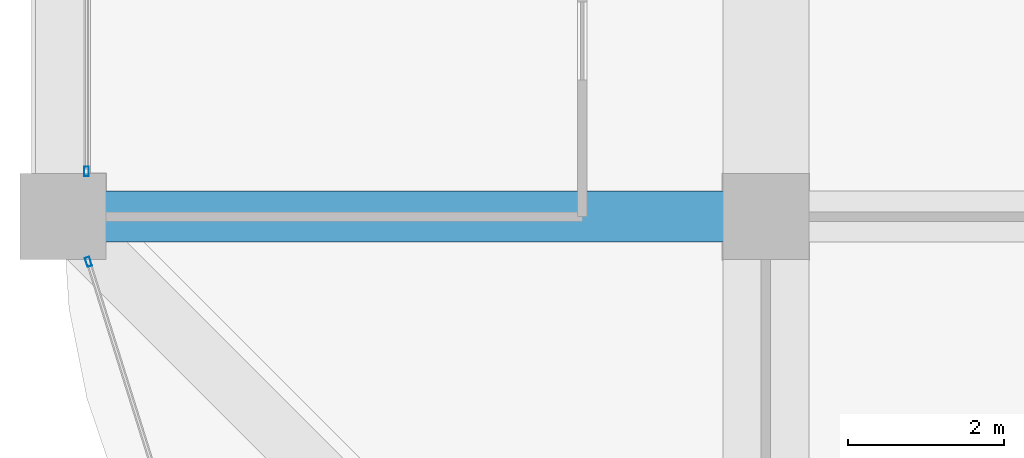
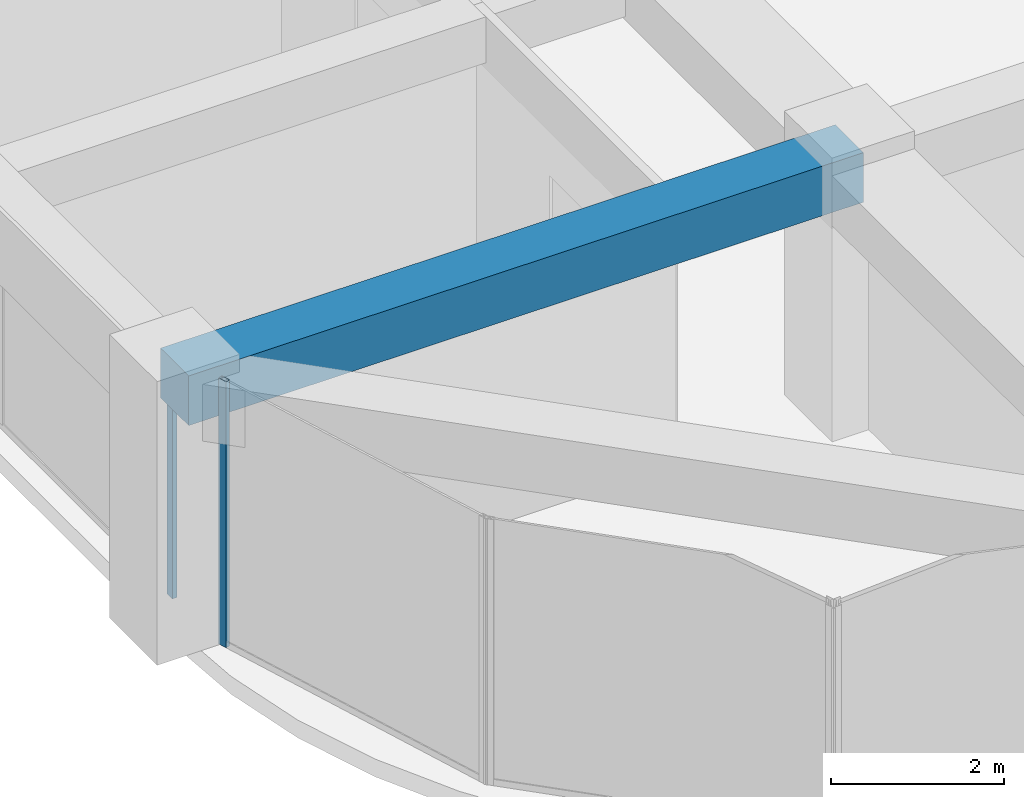
# One storey, part 6 of 45: 2 members, 1 beam, 2 elements without a shape of their own.
"""IFC4 building model written with IfcOpenShell, lengths in metres."""

import ifcopenshell
import ifcopenshell.guid

model = None  # the IFC model being written
_history = None  # IfcOwnerHistory: only IFC2X3 demands one
_inside = {}  # id of a spatial element -> (the spatial element, [elements in it])
_under = {}  # id of a project, library or spatial element -> (it, [spatial elements below it])
_declared = {}  # id of a project -> (the project, [libraries it declares])
_typed = {}  # id of a type object -> (the type object, [elements of that type])
_made_of = {}  # id of a material, layer set ... -> (it, [elements and type objects made of it])


def new_model(schema):
    """Start an empty IFC model of exactly this schema.

    Asked for "IFC4X3", IfcOpenShell would pick the latest addendum, in which some entities
    have other attributes; the version numbers below select the first issue.
    IFC2X3 requires an IfcOwnerHistory on every rooted entity: one is made here for all.
    """
    global model, _history
    if schema == "IFC4X3":
        model = ifcopenshell.file(schema_version=(4, 3, 0, 0))
    else:
        model = ifcopenshell.file(schema=schema)
    _inside.clear()
    _under.clear()
    _declared.clear()
    _typed.clear()
    _made_of.clear()
    _history = None
    if model.schema == "IFC2X3":
        org = make("IfcOrganization", Name="unknown")
        user = make(
            "IfcPersonAndOrganization",
            ThePerson=make("IfcPerson", FamilyName="unknown"),
            TheOrganization=org,
        )
        app = make(
            "IfcApplication",
            ApplicationDeveloper=org,
            Version="unknown",
            ApplicationFullName="unknown",
            ApplicationIdentifier="unknown",
        )
        _history = make(
            "IfcOwnerHistory",
            OwningUser=user,
            OwningApplication=app,
            ChangeAction="ADDED",
            CreationDate=0,
        )
    return model


def make(cls, **values):
    """One entity of the class cls with the attributes given. An attribute that is None is left unset."""
    return model.create_entity(
        cls, **{name: value for name, value in values.items() if value is not None}
    )


def rooted(cls, **values):
    """An entity with a GlobalId (a new one), such as an element, a storey or a relation."""
    return make(cls, GlobalId=ifcopenshell.guid.new(), OwnerHistory=_history, **values)


def si_unit(unit_type, name, prefix=None):
    """IfcSIUnit, for example si_unit("LENGTHUNIT", "METRE", prefix="MILLI")."""
    return make("IfcSIUnit", UnitType=unit_type, Prefix=prefix, Name=name)


def assignment(units):
    """IfcUnitAssignment: the units of a project."""
    return None if units is None else make("IfcUnitAssignment", Units=units)


def point(xyz):
    """IfcCartesianPoint."""
    return None if xyz is None else make("IfcCartesianPoint", Coordinates=xyz)


def direction(xyz):
    """IfcDirection."""
    return None if xyz is None else make("IfcDirection", DirectionRatios=xyz)


def frame(location, z_axis=None, x_axis=None):
    """IfcAxis2Placement3D, a coordinate frame: its origin and axes. An axis left out is left unset."""
    return make(
        "IfcAxis2Placement3D",
        Location=point(location),
        Axis=direction(z_axis),
        RefDirection=direction(x_axis),
    )


def frame_2d(location, x_axis=None):
    """IfcAxis2Placement2D, a coordinate frame in the plane: its origin and x axis."""
    return make(
        "IfcAxis2Placement2D", Location=point(location), RefDirection=direction(x_axis)
    )


def origin():
    """The frame at (0, 0, 0) with its axes left unset."""
    return frame((0.0, 0.0, 0.0))


def origin_2d():
    """The frame at (0, 0) in the plane with its x axis left unset."""
    return frame_2d((0.0, 0.0))


def place(relative_to, where):
    """IfcLocalPlacement: puts the frame where relative to a parent placement (None: the world)."""
    return make(
        "IfcLocalPlacement", PlacementRelTo=relative_to, RelativePlacement=where
    )


def context(
    kind, dimensions, precision=None, world=None, true_north=None, identifier=None
):
    """IfcGeometricRepresentationContext, for example the 3D "Model" context."""
    return make(
        "IfcGeometricRepresentationContext",
        ContextIdentifier=identifier,
        ContextType=kind,
        CoordinateSpaceDimension=dimensions,
        Precision=precision,
        WorldCoordinateSystem=world,
        TrueNorth=true_north,
    )


def subcontext(parent, identifier, kind, view, scale=None):
    """IfcGeometricRepresentationSubContext, for example "Body" below "Model"."""
    return make(
        "IfcGeometricRepresentationSubContext",
        ContextIdentifier=identifier,
        ContextType=kind,
        ParentContext=parent,
        TargetScale=scale,
        TargetView=view,
    )


def project(units=None, contexts=None):
    """IfcProject with its units and contexts."""
    return rooted(
        "IfcProject",
        Name="project",
        RepresentationContexts=contexts,
        UnitsInContext=assignment(units),
    )


def spatial(cls, under=None, at=None, **own):
    """A site, building, storey or space (cls), placed at a placement, below another one or the project."""
    s = rooted(cls, ObjectPlacement=at, **own)
    if under is not None:
        _under.setdefault(under.id(), (under, []))[1].append(s)
    return s


def profile(cls, at=None, kind="AREA", **sizes):
    """A parametric profile (cls). Its sizes go by their IFC names, for example OverallWidth=200.0."""
    return make(cls, ProfileType=kind, Position=at, **sizes)


def rectangle(**sizes):
    """IfcRectangleProfileDef."""
    return profile("IfcRectangleProfileDef", **sizes)


def hollow_rectangle(**sizes):
    """IfcRectangleHollowProfileDef."""
    return profile("IfcRectangleHollowProfileDef", **sizes)


def extrude(swept, where, along, depth):
    """IfcExtrudedAreaSolid: the profile swept, set in the frame where, extruded along a direction by depth."""
    return make(
        "IfcExtrudedAreaSolid",
        SweptArea=swept,
        Position=where,
        ExtrudedDirection=direction(along),
        Depth=depth,
    )


def shape(context_of_items, identifier, shape_type, items):
    """IfcShapeRepresentation: the items that make up one representation, for example the "Body"."""
    return make(
        "IfcShapeRepresentation",
        ContextOfItems=context_of_items,
        RepresentationIdentifier=identifier,
        RepresentationType=shape_type,
        Items=items,
    )


def material(Name=None, Category=None):
    """IfcMaterial."""
    return make("IfcMaterial", Name=Name, Category=Category)


def material_profile(
    of_material, cross_section, Name=None, Category=None, Priority=None
):
    """IfcMaterialProfile: a cross section and its material."""
    return make(
        "IfcMaterialProfile",
        Name=Name,
        Material=of_material,
        Profile=cross_section,
        Priority=Priority,
        Category=Category,
    )


def profile_set(profiles, Name=None, composite=None):
    """IfcMaterialProfileSet."""
    return make(
        "IfcMaterialProfileSet",
        Name=Name,
        MaterialProfiles=profiles,
        CompositeProfile=composite,
    )


def made_of(thing, what):
    """Note that an element or type object is made of a material, layer set ...; save() writes the relation."""
    if what is not None:
        _made_of.setdefault(what.id(), (what, []))[1].append(thing)
    return thing


def type_object(cls, material=None, **own):
    """A type object (cls), such as IfcWallType, which elements share."""
    return made_of(rooted(cls, **own), material)


def element(
    cls,
    number,
    at=None,
    inside=None,
    cuts=None,
    type_object=None,
    material=None,
    context=None,
    identifier="Body",
    shape_type=None,
    held_by="IfcProductDefinitionShape",
    body=None,
    shapes=None,
    **own,
):
    """One element of the class cls, such as IfcWall. Its Tag is "e" and its number.

    at: its placement. inside: the storey or other place that contains it. cuts: it is an
    opening in that element (IfcRelVoidsElement). A single representation is given by context,
    identifier, shape_type and body (its items); several are given by shapes. held_by: the class
    of the entity that holds the representations. save() writes the other relations.
    """
    e = rooted(cls, Tag="e%d" % number, ObjectPlacement=at, **own)
    if body is not None:
        shapes = [shape(context, identifier, shape_type, body)]
    if shapes is not None:
        e.Representation = make(held_by, Representations=shapes)
    if inside is not None:
        _inside.setdefault(inside.id(), (inside, []))[1].append(e)
    if cuts is not None:
        rooted(
            "IfcRelVoidsElement", RelatingBuildingElement=cuts, RelatedOpeningElement=e
        )
    if type_object is not None:
        _typed.setdefault(type_object.id(), (type_object, []))[1].append(e)
    return made_of(e, material)


def aggregate(whole, parts):
    """IfcRelAggregates: a whole, such as a stair, and the parts it consists of."""
    return rooted("IfcRelAggregates", RelatingObject=whole, RelatedObjects=parts)


def save(model, path):
    """Write the relations noted so far, then the file.

    IfcRelAggregates (storeys below a building ...), IfcRelContainedInSpatialStructure (elements
    in a storey), IfcRelDefinesByType, IfcRelAssociatesMaterial and IfcRelDeclares: one each for
    every whole, place, type object, material and project.
    """
    for whole, parts in _under.values():
        aggregate(whole, parts)
    for where, things in _inside.values():
        rooted(
            "IfcRelContainedInSpatialStructure",
            RelatedElements=things,
            RelatingStructure=where,
        )
    for kind, things in _typed.values():
        rooted("IfcRelDefinesByType", RelatedObjects=things, RelatingType=kind)
    for what, things in _made_of.values():
        rooted("IfcRelAssociatesMaterial", RelatedObjects=things, RelatingMaterial=what)
    for by, libraries in _declared.values():
        rooted("IfcRelDeclares", RelatingContext=by, RelatedDefinitions=libraries)
    model.write(path)


model = new_model("IFC4")

# Units and contexts
model_context = context("Model", 3, precision=1e-05, world=origin(), true_north=direction((0.0, 1.0)))
body_context = subcontext(model_context, "Body", "Model", "MODEL_VIEW")
ifc_project = project(units=[si_unit("LENGTHUNIT", "METRE"), si_unit("AREAUNIT", "SQUARE_METRE"), si_unit("VOLUMEUNIT", "CUBIC_METRE"), si_unit("PLANEANGLEUNIT", "RADIAN"), si_unit("MASSUNIT", "GRAM", prefix="KILO")], contexts=[model_context])

# Site, building, storey
site_placement = place(None, origin())
site = spatial("IfcSite", under=ifc_project, at=site_placement, CompositionType="ELEMENT")
building_placement = place(site_placement, origin())
building = spatial("IfcBuilding", under=site, at=building_placement, Name="Zorevar Civic Tower", CompositionType="ELEMENT")
storey_placement = place(building_placement, frame((0.0, 0.0, 291.39990234375)))
storey = spatial("IfcBuildingStorey", under=building, at=storey_placement, Name="L71", CompositionType="ELEMENT", Elevation=291.39990234375)

# Beam
ifc_material_1 = material(Name="Concrete C50/60", Category="concrete")
ifc_material_profile_1 = material_profile(ifc_material_1, rectangle(XDim=0.64990234375, YDim=0.699951171875, at=origin_2d()), Name="RC 650x700")
ifc_profile_set_1 = profile_set([ifc_material_profile_1], Name="Concrete C50/60")
beam_type = type_object("IfcBeamType", Name="Beam RC 650x700", PredefinedType="BEAM", material=ifc_profile_set_1)
beam_placement = place(storey_placement, frame((9.0, 9.0, 3.400146484375), z_axis=(1.0, 0.0, 0.0), x_axis=(0.0, 1.0, 0.0)))
element("IfcBeam", 1, at=beam_placement, inside=storey, type_object=beam_type, Name="Girder L72", PredefinedType="BEAM", context=body_context, shape_type="SweptSolid", body=[
    extrude(rectangle(XDim=0.64990234375, YDim=0.699951171875, at=origin_2d()), origin(), (0.0, 0.0, 1.0), 9.0),
])

# Curtain wall, member
ifc_material_2 = material(Name="Dark grey solar-control glass in black aluminium frame", Category="aluminium")
curtain_wall_type = type_object("IfcCurtainWallType", Name="Curtain wall CW5 top zone", PredefinedType="NOTDEFINED", material=ifc_material_2)
curtain_wall_1_placement = place(storey_placement, origin())
curtain_wall_1 = element("IfcCurtainWall", 2, at=curtain_wall_1_placement, inside=storey, type_object=curtain_wall_type, Name="CW5 L71", PredefinedType="NOTDEFINED")
ifc_material_3 = material(Name="Aluminium, black anodised", Category="aluminium")
ifc_material_profile_2 = material_profile(ifc_material_3, hollow_rectangle(XDim=0.06005859375, YDim=0.1201171875, WallThickness=0.0029296875, at=origin_2d()), Name="AL 120x60x3")
ifc_profile_set_2 = profile_set([ifc_material_profile_2], Name="Aluminium, black anodised")
member_type = type_object("IfcMemberType", Name="CW5 mullion AL 120x60x3", PredefinedType="MULLION", material=ifc_profile_set_2)
member_1_placement = place(storey_placement, frame((9.300048828125, 9.580078125, 0.0), z_axis=(0.0, 0.0, 1.0), x_axis=(-1.0, 0.0, 0.0)))
member_1 = element("IfcMember", 3, at=member_1_placement, type_object=member_type, Name="CW5 mullion 1", PredefinedType="MULLION", context=body_context, shape_type="SweptSolid", body=[
    extrude(hollow_rectangle(XDim=0.06005859375, YDim=0.1201171875, WallThickness=0.0029296875, at=origin_2d()), origin(), (0.0, 0.0, 1.0), 2.9501953125),
])
aggregate(curtain_wall_1, [member_1])

curtain_wall_2_placement = place(storey_placement, origin())
curtain_wall_2 = element("IfcCurtainWall", 4, at=curtain_wall_2_placement, inside=storey, type_object=curtain_wall_type, Name="CW5 L71", PredefinedType="NOTDEFINED")
member_2_placement = place(storey_placement, frame((9.326416015625, 8.42138671875, 0.0), z_axis=(0.0, 0.0, 1.0), x_axis=(0.954153437674, 0.299317920238, 0.0)))
member_2 = element("IfcMember", 5, at=member_2_placement, type_object=member_type, Name="CW5 mullion 1", PredefinedType="MULLION", context=body_context, shape_type="SweptSolid", body=[
    extrude(hollow_rectangle(XDim=0.06005859375, YDim=0.1201171875, WallThickness=0.0029296875, at=origin_2d()), origin(), (0.0, 0.0, 1.0), 3.75),
])
aggregate(curtain_wall_2, [member_2])

save(model, "model.ifc")
